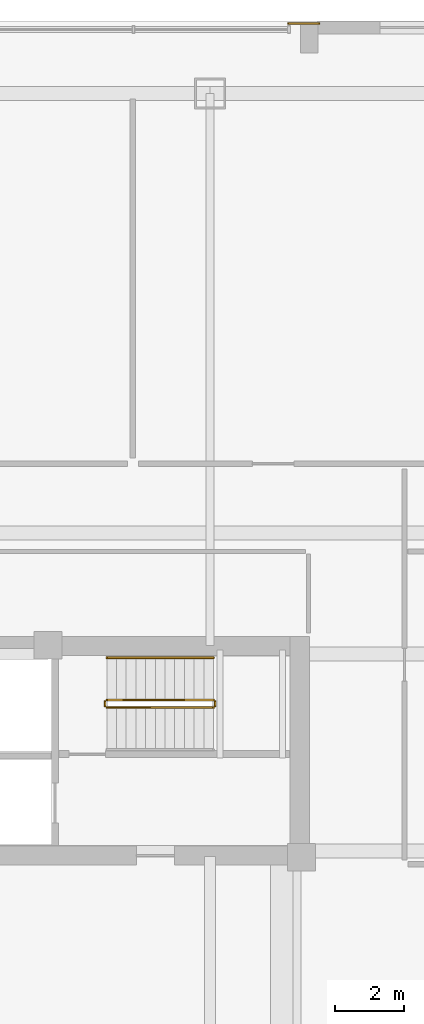
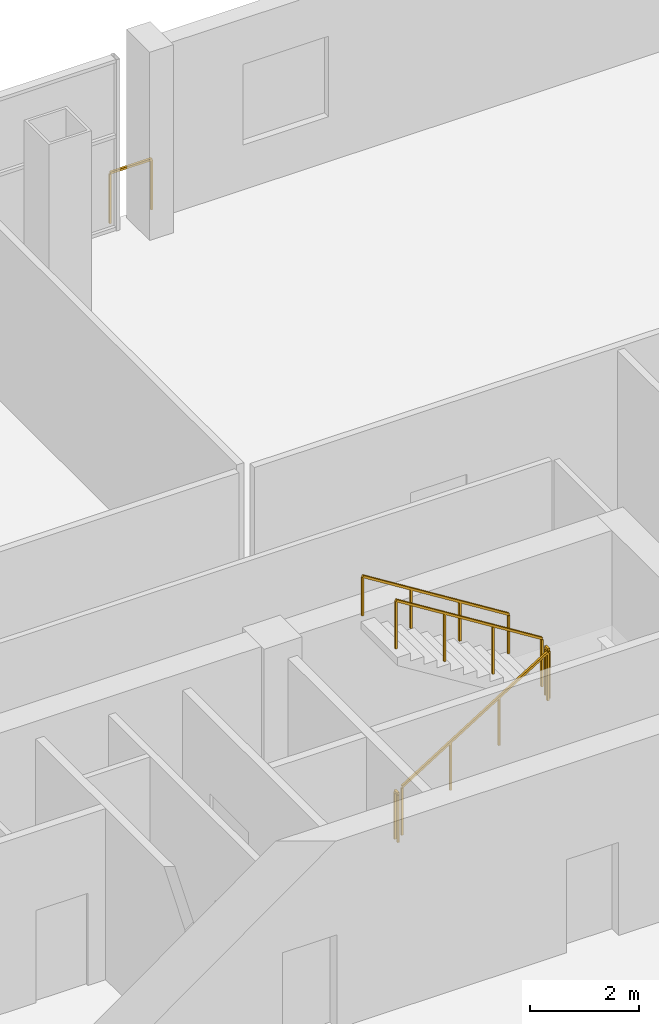
# One storey, part 20 of 21: 6 railings.
"""IFC4 building model written with IfcOpenShell, lengths in metres."""

from ifc_helpers import new_model, si_unit, direction, frame, origin, origin_2d, place, context, subcontext, project, spatial, rectangle, extrude, material, type_object, element, save


model = new_model("IFC4")

# Units and contexts
model_context = context("Model", 3, precision=1e-05, world=origin(), true_north=direction((0.0, 1.0)))
body_context = subcontext(model_context, "Body", "Model", "MODEL_VIEW")
ifc_project = project(units=[si_unit("LENGTHUNIT", "METRE"), si_unit("AREAUNIT", "SQUARE_METRE"), si_unit("VOLUMEUNIT", "CUBIC_METRE"), si_unit("PLANEANGLEUNIT", "RADIAN"), si_unit("MASSUNIT", "GRAM", prefix="KILO")], contexts=[model_context])

# Site, building, storey
site_placement = place(None, origin())
site = spatial("IfcSite", under=ifc_project, at=site_placement, CompositionType="ELEMENT")
building_placement = place(site_placement, origin())
building = spatial("IfcBuilding", under=site, at=building_placement, Name="Qhalaya Broadcast Tower", CompositionType="ELEMENT")
storey_placement = place(building_placement, frame((0.0, 0.0, 17.699951171875)))
storey = spatial("IfcBuildingStorey", under=building, at=storey_placement, Name="L04", CompositionType="ELEMENT", Elevation=17.699951171875)

# Railings
ifc_material = material(Name="Powder-Coated Galvanised Steel", Category="steel")
railing_type_1 = type_object("IfcRailingType", Name="Stair Wall Handrail 900", PredefinedType="HANDRAIL", material=ifc_material)
railing_1_placement = place(storey_placement, frame((6.830078125, 9.590087890625, 2.275146484375)))
element("IfcRailing", 1, at=railing_1_placement, inside=storey, type_object=railing_type_1, Name="L04 ST-1 Stair Handrail 2", PredefinedType="HANDRAIL", context=body_context, shape_type="SweptSolid", body=[
    extrude(rectangle(XDim=0.048095703125, YDim=0.048095703125, at=origin_2d()), frame((0.0, 0.0, 0.8759765625), z_axis=(-0.848028513186, 0.0, 0.529950602248), x_axis=(0.0, -1.0, 0.0)), (0.0, 0.0, 1.0), 3.632080078125),
    extrude(rectangle(XDim=0.0419921875, YDim=0.0419921875, at=origin_2d()), origin(), (0.0, 0.0, 1.0), 0.849853515625),
    extrude(rectangle(XDim=0.0419921875, YDim=0.0419921875, at=origin_2d()), frame((-1.026611328125, 0.0, 0.6416015625)), (0.0, 0.0, 1.0), 0.849853515625),
    extrude(rectangle(XDim=0.0419921875, YDim=0.0419921875, at=origin_2d()), frame((-2.053466796875, 0.0, 1.283203125)), (0.0, 0.0, 1.0), 0.849853515625),
    extrude(rectangle(XDim=0.0419921875, YDim=0.0419921875, at=origin_2d()), frame((-3.080078125, 0.0, 1.9248046875)), (0.0, 0.0, 1.0), 0.849853515625),
])
railing_type_2 = type_object("IfcRailingType", Name="Stair Well & Landing Guardrail 1100", PredefinedType="GUARDRAIL", material=ifc_material)
railing_2_placement = place(storey_placement, frame((3.75, 8.14990234375, 0.175048828125)))
element("IfcRailing", 2, at=railing_2_placement, inside=storey, type_object=railing_type_2, Name="L04 ST-1 Stair Guard 1", PredefinedType="GUARDRAIL", context=body_context, shape_type="SweptSolid", body=[
    extrude(rectangle(XDim=0.048095703125, YDim=0.048095703125, at=origin_2d()), frame((0.0, 0.0, 1.076171875), z_axis=(0.847998304005, 0.0, 0.529998940003), x_axis=(0.0, 1.0, 0.0)), (0.0, 0.0, 1.0), 3.632080078125),
    extrude(rectangle(XDim=0.0419921875, YDim=0.0419921875, at=origin_2d()), origin(), (0.0, 0.0, 1.0), 1.050048828125),
    extrude(rectangle(XDim=0.0419921875, YDim=0.0419921875, at=origin_2d()), frame((1.026611328125, 0.0, 0.6416015625)), (0.0, 0.0, 1.0), 1.050048828125),
    extrude(rectangle(XDim=0.0419921875, YDim=0.0419921875, at=origin_2d()), frame((2.053466796875, 0.0, 1.283447265625)), (0.0, 0.0, 1.0), 1.050048828125),
    extrude(rectangle(XDim=0.0419921875, YDim=0.0419921875, at=origin_2d()), frame((3.080078125, 0.0, 1.925048828125)), (0.0, 0.0, 1.0), 1.050048828125),
])
railing_3_placement = place(storey_placement, frame((6.8798828125, 8.199951171875, 2.10009765625)))
element("IfcRailing", 3, at=railing_3_placement, inside=storey, type_object=railing_type_2, Name="L04 ST-1 Stair Guard 2", PredefinedType="GUARDRAIL", context=body_context, shape_type="SweptSolid", body=[
    extrude(rectangle(XDim=0.048095703125, YDim=0.048095703125, at=origin_2d()), frame((0.0, 0.0, 1.076171875), z_axis=(0.0, 1.0, 0.0), x_axis=(-1.0, 0.0, 0.0)), (0.0, 0.0, 1.0), 0.1201171875),
    extrude(rectangle(XDim=0.0419921875, YDim=0.0419921875, at=origin_2d()), origin(), (0.0, 0.0, 1.0), 1.050048828125),
    extrude(rectangle(XDim=0.0419921875, YDim=0.0419921875, at=origin_2d()), frame((0.0, 0.1201171875, 0.0)), (0.0, 0.0, 1.0), 1.050048828125),
])
railing_4_placement = place(storey_placement, frame((6.830078125, 8.3701171875, 2.275146484375)))
element("IfcRailing", 4, at=railing_4_placement, inside=storey, type_object=railing_type_2, Name="L04 ST-1 Stair Guard 3", PredefinedType="GUARDRAIL", context=body_context, shape_type="SweptSolid", body=[
    extrude(rectangle(XDim=0.048095703125, YDim=0.048095703125, at=origin_2d()), frame((0.0, 0.0, 1.076171875), z_axis=(-0.848028513186, 0.0, 0.529950602248), x_axis=(0.0, -1.0, 0.0)), (0.0, 0.0, 1.0), 3.632080078125),
    extrude(rectangle(XDim=0.0419921875, YDim=0.0419921875, at=origin_2d()), origin(), (0.0, 0.0, 1.0), 1.050048828125),
    extrude(rectangle(XDim=0.0419921875, YDim=0.0419921875, at=origin_2d()), frame((-1.026611328125, 0.0, 0.6416015625)), (0.0, 0.0, 1.0), 1.050048828125),
    extrude(rectangle(XDim=0.0419921875, YDim=0.0419921875, at=origin_2d()), frame((-2.053466796875, 0.0, 1.283203125)), (0.0, 0.0, 1.0), 1.050048828125),
    extrude(rectangle(XDim=0.0419921875, YDim=0.0419921875, at=origin_2d()), frame((-3.080078125, 0.0, 1.9248046875)), (0.0, 0.0, 1.0), 1.050048828125),
])
railing_5_placement = place(storey_placement, frame((3.699951171875, 8.199951171875, 0.0)))
element("IfcRailing", 5, at=railing_5_placement, inside=storey, type_object=railing_type_2, Name="L04 ST-1 Stair Guard 4", PredefinedType="GUARDRAIL", context=body_context, shape_type="SweptSolid", body=[
    extrude(rectangle(XDim=0.048095703125, YDim=0.048095703125, at=origin_2d()), frame((0.0, 0.0, 1.076171875), z_axis=(0.0, 1.0, 0.0), x_axis=(-1.0, 0.0, 0.0)), (0.0, 0.0, 1.0), 0.1201171875),
    extrude(rectangle(XDim=0.0419921875, YDim=0.0419921875, at=origin_2d()), origin(), (0.0, 0.0, 1.0), 1.050048828125),
    extrude(rectangle(XDim=0.0419921875, YDim=0.0419921875, at=origin_2d()), frame((0.0, 0.1201171875, 0.0)), (0.0, 0.0, 1.0), 1.050048828125),
])
railing_type_3 = type_object("IfcRailingType", Name="Terrace, Sky-Pool & Lookout Glass Balustrade 1150", PredefinedType="BALUSTRADE", material=ifc_material)
railing_6_placement = place(storey_placement, frame((9.0, 27.919921875, 0.0)))
element("IfcRailing", 6, at=railing_6_placement, inside=storey, type_object=railing_type_3, Name="L04 Concourse Portal Shoulder Safety Balustrade PNE", PredefinedType="BALUSTRADE", context=body_context, shape_type="SweptSolid", body=[
    extrude(rectangle(XDim=0.048095703125, YDim=0.048095703125, at=origin_2d()), frame((0.0, 0.0, 1.1259765625), z_axis=(1.0, 0.0, 0.0), x_axis=(0.0, 1.0, 0.0)), (0.0, 0.0, 1.0), 0.8798828125),
    extrude(rectangle(XDim=0.0419921875, YDim=0.0419921875, at=origin_2d()), origin(), (0.0, 0.0, 1.0), 1.099853515625),
    extrude(rectangle(XDim=0.0419921875, YDim=0.0419921875, at=origin_2d()), frame((0.8798828125, 0.0, 0.0)), (0.0, 0.0, 1.0), 1.099853515625),
])

save(model, "model.ifc")
